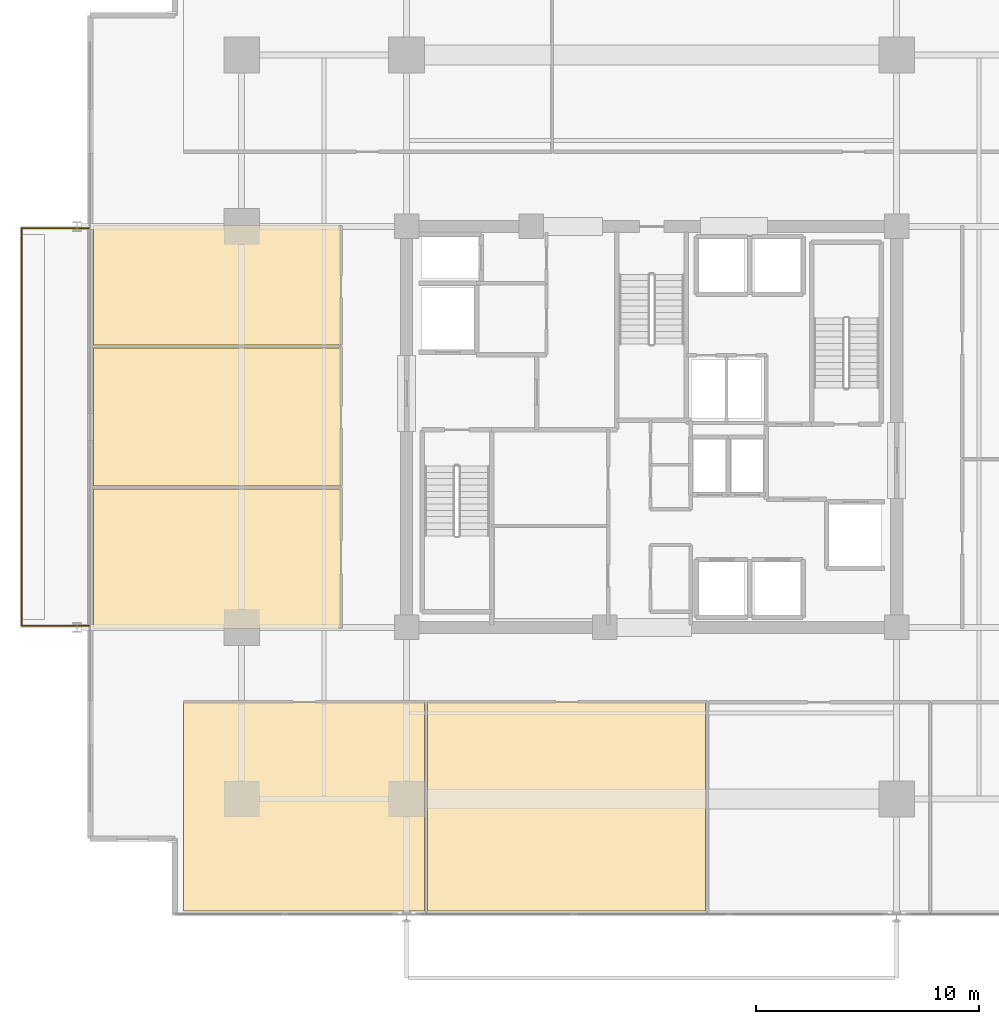
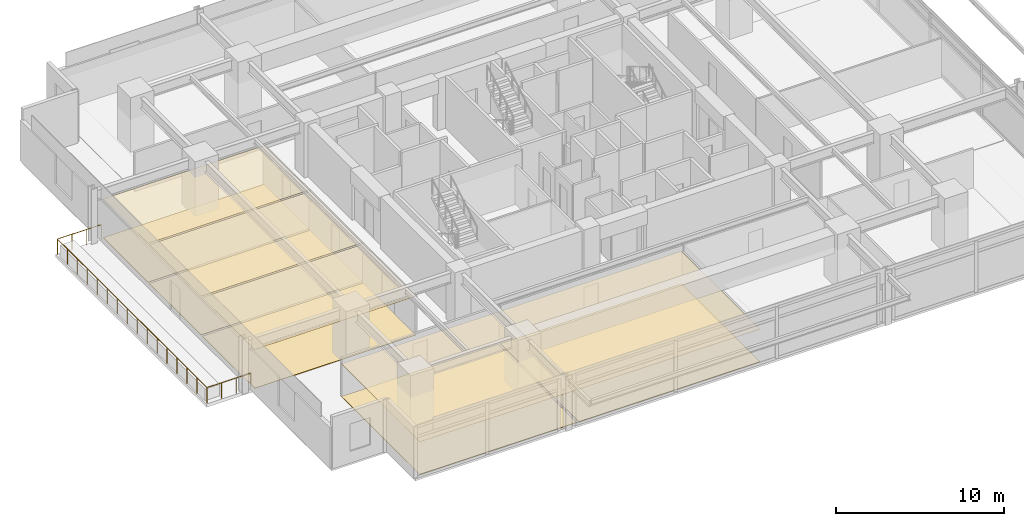
# One storey, part 20 of 23: 10 coverings, 1 railing.
"""IFC4 building model written with IfcOpenShell, lengths in metres."""

from ifc_helpers import new_model, si_unit, direction, frame, origin, origin_2d, place, context, subcontext, project, spatial, polyline, circle, outline, extrude, material, layer, layer_set, type_object, element, save


model = new_model("IFC4")

# Units and contexts
model_context = context("Model", 3, precision=1e-05, world=origin(), true_north=direction((0.0, 1.0)))
body_context = subcontext(model_context, "Body", "Model", "MODEL_VIEW")
ifc_project = project(units=[si_unit("LENGTHUNIT", "METRE"), si_unit("AREAUNIT", "SQUARE_METRE"), si_unit("VOLUMEUNIT", "CUBIC_METRE"), si_unit("PLANEANGLEUNIT", "RADIAN"), si_unit("MASSUNIT", "GRAM", prefix="KILO")], contexts=[model_context])

# Site, building, storey
site_placement = place(None, origin())
site = spatial("IfcSite", under=ifc_project, at=site_placement, CompositionType="ELEMENT")
building_placement = place(site_placement, origin())
building = spatial("IfcBuilding", under=site, at=building_placement, Name="Kovane Verandah Tower", CompositionType="ELEMENT")
storey_placement = place(building_placement, frame((0.0, 0.0, 168.39990234375)))
storey = spatial("IfcBuildingStorey", under=building, at=storey_placement, Name="L39", CompositionType="ELEMENT", Elevation=168.39990234375)

# Coverings
ifc_material_1 = material(Name="Perforated Acoustic Mineral-Fibre Ceiling Tile", Category="gypsum")
ifc_layer_1 = layer(ifc_material_1, 0.02490234375)
ifc_layer_set_1 = layer_set([ifc_layer_1], Name="Perforated Acoustic Mineral-Fibre Ceiling Tile")
covering_type_1 = type_object("IfcCoveringType", Name="CV-CEIL-25", PredefinedType="CEILING", material=ifc_layer_set_1)
covering_1_placement = place(storey_placement, frame((0.0, 0.0, 2.380126953125)))
element("IfcCovering", 1, at=covering_1_placement, inside=storey, type_object=covering_type_1, Name="L39 Collaboration Hub S1 Acoustic Ceiling", PredefinedType="CEILING", context=body_context, shape_type="SweptSolid", body=[
    extrude(outline(polyline([(18.996826171875, 5.767822265625), (29.8076171875, 5.767822265625), (29.8076171875, 15.14990234375), (18.996826171875, 15.14990234375), (18.996826171875, 5.767822265625)])), origin(), (0.0, 0.0, 1.0), 0.02490234375),
])
covering_2_placement = place(storey_placement, frame((0.0, 0.0, 2.380126953125)))
element("IfcCovering", 2, at=covering_2_placement, inside=storey, type_object=covering_type_1, Name="L39 Document and Print Room S2 Acoustic Ceiling", PredefinedType="CEILING", context=body_context, shape_type="SweptSolid", body=[
    extrude(outline(polyline([(29.947509765625, 5.767822265625), (42.42919921875, 5.767822265625), (42.42919921875, 15.14990234375), (29.947509765625, 15.14990234375), (29.947509765625, 5.767822265625)])), origin(), (0.0, 0.0, 1.0), 0.02490234375),
])
covering_3_placement = place(storey_placement, frame((0.0, 0.0, 2.8251953125)))
element("IfcCovering", 3, at=covering_3_placement, inside=storey, type_object=covering_type_1, Name="L39 Client Boardroom W1 Acoustic Ceiling", PredefinedType="CEILING", context=body_context, shape_type="SweptSolid", body=[
    extrude(outline(polyline([(14.94677734375, 18.449951171875), (26.050048828125, 18.449951171875), (26.050048828125, 24.715087890625), (14.94677734375, 24.715087890625), (14.94677734375, 18.449951171875)])), origin(), (0.0, 0.0, 1.0), 0.02490234375),
])
covering_4_placement = place(storey_placement, frame((0.0, 0.0, 2.8251953125)))
element("IfcCovering", 4, at=covering_4_placement, inside=storey, type_object=covering_type_1, Name="L39 Meeting Room W2 Acoustic Ceiling", PredefinedType="CEILING", context=body_context, shape_type="SweptSolid", body=[
    extrude(outline(polyline([(14.94677734375, 24.85498046875), (26.050048828125, 24.85498046875), (26.050048828125, 31.050048828125), (14.94677734375, 31.050048828125), (14.94677734375, 24.85498046875)])), origin(), (0.0, 0.0, 1.0), 0.02490234375),
])
covering_5_placement = place(storey_placement, frame((0.0, 0.0, 2.8251953125)))
element("IfcCovering", 5, at=covering_5_placement, inside=storey, type_object=covering_type_1, Name="L39 Focus Studio W3 Acoustic Ceiling", PredefinedType="CEILING", context=body_context, shape_type="SweptSolid", body=[
    extrude(outline(polyline([(14.94677734375, 31.18994140625), (26.050048828125, 31.18994140625), (26.050048828125, 36.550048828125), (14.94677734375, 36.550048828125), (14.94677734375, 31.18994140625)])), origin(), (0.0, 0.0, 1.0), 0.02490234375),
])
ifc_material_2 = material(Name="Polished Terrazzo and Raised-Access Carpet Tile Finish", Category="concrete")
ifc_layer_2 = layer(ifc_material_2, 0.030029296875)
ifc_layer_set_2 = layer_set([ifc_layer_2], Name="Polished Terrazzo and Raised-Access Carpet Tile Finish")
covering_type_2 = type_object("IfcCoveringType", Name="CV-FLOR-30", PredefinedType="FLOORING", material=ifc_layer_set_2)
covering_6_placement = place(storey_placement, origin())
element("IfcCovering", 6, at=covering_6_placement, inside=storey, type_object=covering_type_2, Name="L39 Collaboration Hub S1 Floor Finish", PredefinedType="FLOORING", context=body_context, shape_type="SweptSolid", body=[
    extrude(outline(polyline([(18.996826171875, 5.767822265625), (29.8076171875, 5.767822265625), (29.8076171875, 15.14990234375), (18.996826171875, 15.14990234375), (18.996826171875, 5.767822265625)])), origin(), (0.0, 0.0, 1.0), 0.030029296875),
])
covering_7_placement = place(storey_placement, origin())
element("IfcCovering", 7, at=covering_7_placement, inside=storey, type_object=covering_type_2, Name="L39 Document and Print Room S2 Floor Finish", PredefinedType="FLOORING", context=body_context, shape_type="SweptSolid", body=[
    extrude(outline(polyline([(29.947509765625, 5.767822265625), (42.42919921875, 5.767822265625), (42.42919921875, 15.14990234375), (29.947509765625, 15.14990234375), (29.947509765625, 5.767822265625)])), origin(), (0.0, 0.0, 1.0), 0.030029296875),
])
covering_8_placement = place(storey_placement, origin())
element("IfcCovering", 8, at=covering_8_placement, inside=storey, type_object=covering_type_2, Name="L39 Client Boardroom W1 Floor Finish", PredefinedType="FLOORING", context=body_context, shape_type="SweptSolid", body=[
    extrude(outline(polyline([(14.94677734375, 18.449951171875), (26.050048828125, 18.449951171875), (26.050048828125, 24.715087890625), (14.94677734375, 24.715087890625), (14.94677734375, 18.449951171875)])), origin(), (0.0, 0.0, 1.0), 0.030029296875),
])
covering_9_placement = place(storey_placement, origin())
element("IfcCovering", 9, at=covering_9_placement, inside=storey, type_object=covering_type_2, Name="L39 Meeting Room W2 Floor Finish", PredefinedType="FLOORING", context=body_context, shape_type="SweptSolid", body=[
    extrude(outline(polyline([(14.94677734375, 24.85498046875), (26.050048828125, 24.85498046875), (26.050048828125, 31.050048828125), (14.94677734375, 31.050048828125), (14.94677734375, 24.85498046875)])), origin(), (0.0, 0.0, 1.0), 0.030029296875),
])
covering_10_placement = place(storey_placement, origin())
element("IfcCovering", 10, at=covering_10_placement, inside=storey, type_object=covering_type_2, Name="L39 Focus Studio W3 Floor Finish", PredefinedType="FLOORING", context=body_context, shape_type="SweptSolid", body=[
    extrude(outline(polyline([(14.94677734375, 31.18994140625), (26.050048828125, 31.18994140625), (26.050048828125, 36.550048828125), (14.94677734375, 36.550048828125), (14.94677734375, 31.18994140625)])), origin(), (0.0, 0.0, 1.0), 0.030029296875),
])

# Railing
ifc_material_3 = material(Name="Laminated Glass and Pale-Champagne Stainless Balustrade", Category="glass")
railing_type = type_object("IfcRailingType", Name="RL-BAL-1150", PredefinedType="BALUSTRADE", material=ifc_material_3)
railing_placement = place(storey_placement, frame((14.746826171875, 18.580078125, 0.0)))
element("IfcRailing", 11, at=railing_placement, inside=storey, type_object=railing_type, Name="L39 W Verandah Glass Balustrade", PredefinedType="BALUSTRADE", context=body_context, shape_type="SweptSolid", body=[
    extrude(circle(Radius=0.02392578125, at=origin_2d()), frame((0.0, 0.0, 1.1259765625), z_axis=(-1.0, 0.0, 0.0), x_axis=(0.0, -1.0, 0.0)), (0.0, 0.0, 1.0), 3.02001953125),
    extrude(circle(Radius=0.02392578125, at=origin_2d()), frame((-3.02001953125, 0.0, 1.1259765625), z_axis=(0.0, 1.0, 0.0), x_axis=(-1.0, 0.0, 0.0)), (0.0, 0.0, 1.0), 17.83984375),
    extrude(circle(Radius=0.02392578125, at=origin_2d()), frame((-3.02001953125, 17.83984375, 1.1259765625), z_axis=(1.0, 0.0, 0.0), x_axis=(0.0, 1.0, 0.0)), (0.0, 0.0, 1.0), 3.02001953125),
    extrude(circle(Radius=0.02099609375, at=origin_2d()), origin(), (0.0, 0.0, 1.0), 1.101806640625),
    extrude(circle(Radius=0.02099609375, at=origin_2d()), frame((-1.006591796875, 0.0, 0.0)), (0.0, 0.0, 1.0), 1.101806640625),
    extrude(circle(Radius=0.02099609375, at=origin_2d()), frame((-2.013427734375, 0.0, 0.0)), (0.0, 0.0, 1.0), 1.101806640625),
    extrude(circle(Radius=0.02099609375, at=origin_2d()), frame((-3.02001953125, 0.0, 0.0)), (0.0, 0.0, 1.0), 1.101806640625),
    extrude(circle(Radius=0.02099609375, at=origin_2d()), frame((-3.02001953125, 1.189208984375, 0.0)), (0.0, 0.0, 1.0), 1.101806640625),
    extrude(circle(Radius=0.02099609375, at=origin_2d()), frame((-3.02001953125, 2.378662109375, 0.0)), (0.0, 0.0, 1.0), 1.101806640625),
    extrude(circle(Radius=0.02099609375, at=origin_2d()), frame((-3.02001953125, 3.56787109375, 0.0)), (0.0, 0.0, 1.0), 1.101806640625),
    extrude(circle(Radius=0.02099609375, at=origin_2d()), frame((-3.02001953125, 4.75732421875, 0.0)), (0.0, 0.0, 1.0), 1.101806640625),
    extrude(circle(Radius=0.02099609375, at=origin_2d()), frame((-3.02001953125, 5.946533203125, 0.0)), (0.0, 0.0, 1.0), 1.101806640625),
    extrude(circle(Radius=0.02099609375, at=origin_2d()), frame((-3.02001953125, 7.135986328125, 0.0)), (0.0, 0.0, 1.0), 1.101806640625),
    extrude(circle(Radius=0.02099609375, at=origin_2d()), frame((-3.02001953125, 8.3251953125, 0.0)), (0.0, 0.0, 1.0), 1.101806640625),
    extrude(circle(Radius=0.02099609375, at=origin_2d()), frame((-3.02001953125, 9.5146484375, 0.0)), (0.0, 0.0, 1.0), 1.101806640625),
    extrude(circle(Radius=0.02099609375, at=origin_2d()), frame((-3.02001953125, 10.703857421875, 0.0)), (0.0, 0.0, 1.0), 1.101806640625),
    extrude(circle(Radius=0.02099609375, at=origin_2d()), frame((-3.02001953125, 11.893310546875, 0.0)), (0.0, 0.0, 1.0), 1.101806640625),
    extrude(circle(Radius=0.02099609375, at=origin_2d()), frame((-3.02001953125, 13.08251953125, 0.0)), (0.0, 0.0, 1.0), 1.101806640625),
    extrude(circle(Radius=0.02099609375, at=origin_2d()), frame((-3.02001953125, 14.27197265625, 0.0)), (0.0, 0.0, 1.0), 1.101806640625),
    extrude(circle(Radius=0.02099609375, at=origin_2d()), frame((-3.02001953125, 15.461181640625, 0.0)), (0.0, 0.0, 1.0), 1.101806640625),
    extrude(circle(Radius=0.02099609375, at=origin_2d()), frame((-3.02001953125, 16.650634765625, 0.0)), (0.0, 0.0, 1.0), 1.101806640625),
    extrude(circle(Radius=0.02099609375, at=origin_2d()), frame((-3.02001953125, 17.83984375, 0.0)), (0.0, 0.0, 1.0), 1.101806640625),
    extrude(circle(Radius=0.02099609375, at=origin_2d()), frame((-2.013427734375, 17.83984375, 0.0)), (0.0, 0.0, 1.0), 1.101806640625),
    extrude(circle(Radius=0.02099609375, at=origin_2d()), frame((-1.006591796875, 17.83984375, 0.0)), (0.0, 0.0, 1.0), 1.101806640625),
    extrude(circle(Radius=0.02099609375, at=origin_2d()), frame((0.0, 17.83984375, 0.0)), (0.0, 0.0, 1.0), 1.101806640625),
])

save(model, "model.ifc")
